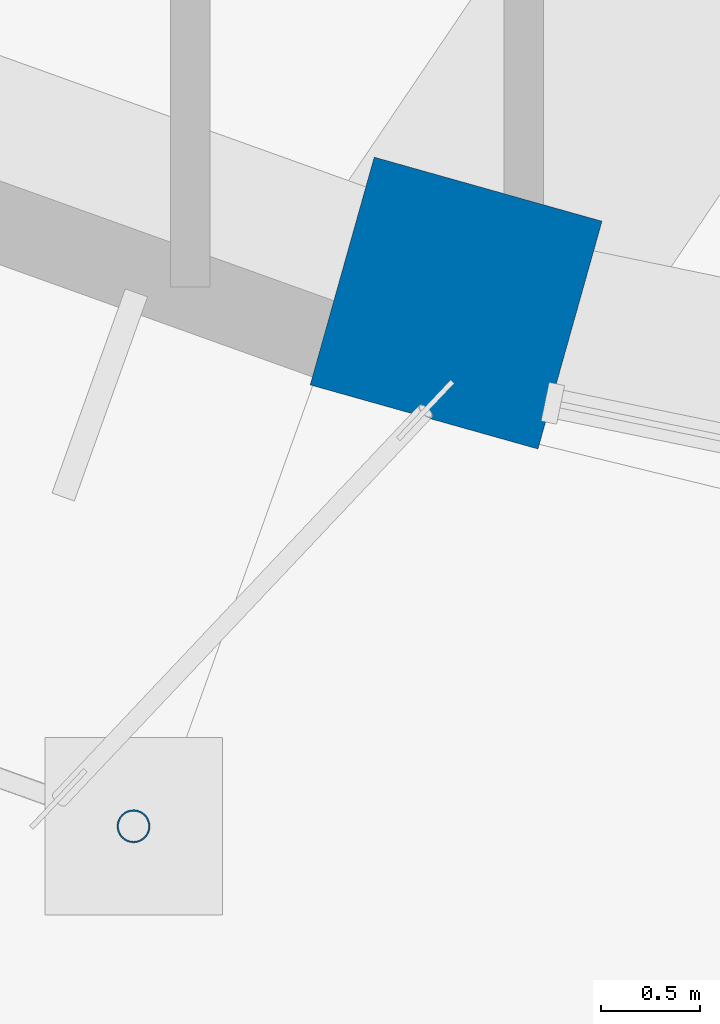
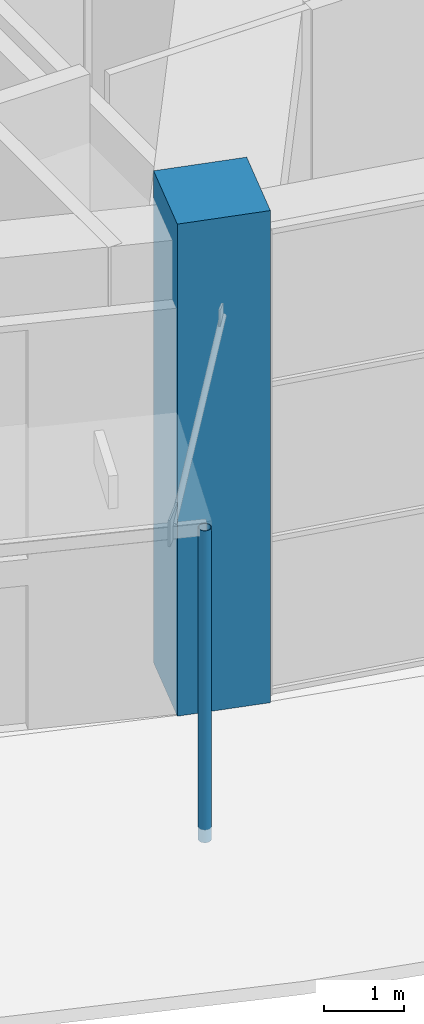
# One storey, part 3 of 60: 2 columns.
"""IFC4 building model written with IfcOpenShell, lengths in metres."""

from ifc_helpers import new_model, si_unit, direction, frame, origin, origin_2d, place, context, subcontext, project, spatial, rectangle, hollow_circle, extrude, material, material_profile, profile_set, type_object, element, save


model = new_model("IFC4")

# Units and contexts
model_context = context("Model", 3, precision=1e-05, world=origin(), true_north=direction((0.0, 1.0)))
body_context = subcontext(model_context, "Body", "Model", "MODEL_VIEW")
ifc_project = project(units=[si_unit("LENGTHUNIT", "METRE"), si_unit("AREAUNIT", "SQUARE_METRE"), si_unit("VOLUMEUNIT", "CUBIC_METRE"), si_unit("PLANEANGLEUNIT", "RADIAN"), si_unit("MASSUNIT", "GRAM", prefix="KILO")], contexts=[model_context])

# Site, building, storey
site_placement = place(None, origin())
site = spatial("IfcSite", under=ifc_project, at=site_placement, CompositionType="ELEMENT")
building_placement = place(site_placement, origin())
building = spatial("IfcBuilding", under=site, at=building_placement, Name="Taillehof Tower", CompositionType="ELEMENT")
storey_placement = place(building_placement, origin())
storey = spatial("IfcBuildingStorey", under=building, at=storey_placement, Name="L00", CompositionType="ELEMENT", Elevation=0.0)

# Columns
ifc_material_1 = material(Name="Steel S460M", Category="steel")
ifc_material_profile_1 = material_profile(ifc_material_1, hollow_circle(Radius=0.084228515625, WallThickness=0.008056640625, at=origin_2d()), Name="CHS 168.3x8")
ifc_profile_set_1 = profile_set([ifc_material_profile_1], Name="Steel S460M")
column_type_1 = type_object("IfcColumnType", Name="Canopy post CHS 168.3x8", PredefinedType="COLUMN", material=ifc_profile_set_1)
column_1_placement = place(storey_placement, frame((-16.4794921875, -34.038818359375, -0.199951171875), z_axis=(0.0, 0.0, 1.0), x_axis=(1.0, 0.0, 0.0)))
element("IfcColumn", 1, at=column_1_placement, inside=storey, type_object=column_type_1, Name="Canopy post E15", PredefinedType="COLUMN", context=body_context, shape_type="SweptSolid", body=[
    extrude(hollow_circle(Radius=0.084228515625, WallThickness=0.008056640625, at=origin_2d()), origin(), (0.0, 0.0, 1.0), 4.7548828125),
])
ifc_material_2 = material(Name="Concrete C60/75", Category="concrete")
ifc_material_profile_2 = material_profile(ifc_material_2, rectangle(XDim=1.199951171875, YDim=1.199951171875, at=origin_2d()), Name="RC 1200x1200")
ifc_profile_set_2 = profile_set([ifc_material_profile_2], Name="Concrete C60/75")
column_type_2 = type_object("IfcColumnType", Name="Podium column C60/75 1200x1200", PredefinedType="COLUMN", material=ifc_profile_set_2)
column_2_placement = place(storey_placement, frame((-14.84375, -31.3857421875, 0.0), z_axis=(0.0, 0.0, 1.0), x_axis=(-0.270745277365, -0.962651024403, 0.0)))
element("IfcColumn", 2, at=column_2_placement, inside=storey, type_object=column_type_2, Name="Podium column PC26", PredefinedType="COLUMN", context=body_context, shape_type="SweptSolid", body=[
    extrude(rectangle(XDim=1.199951171875, YDim=1.199951171875, at=origin_2d()), origin(), (0.0, 0.0, 1.0), 7.5),
])

save(model, "model.ifc")
